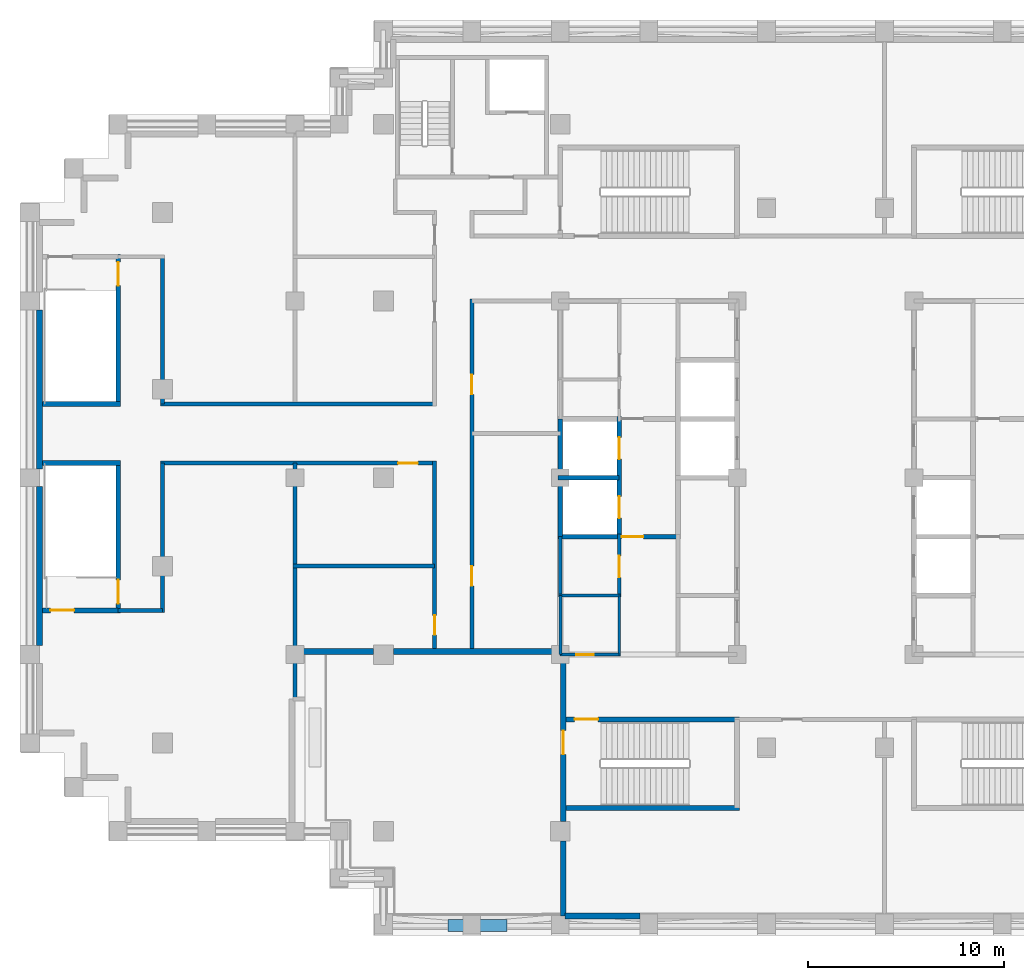
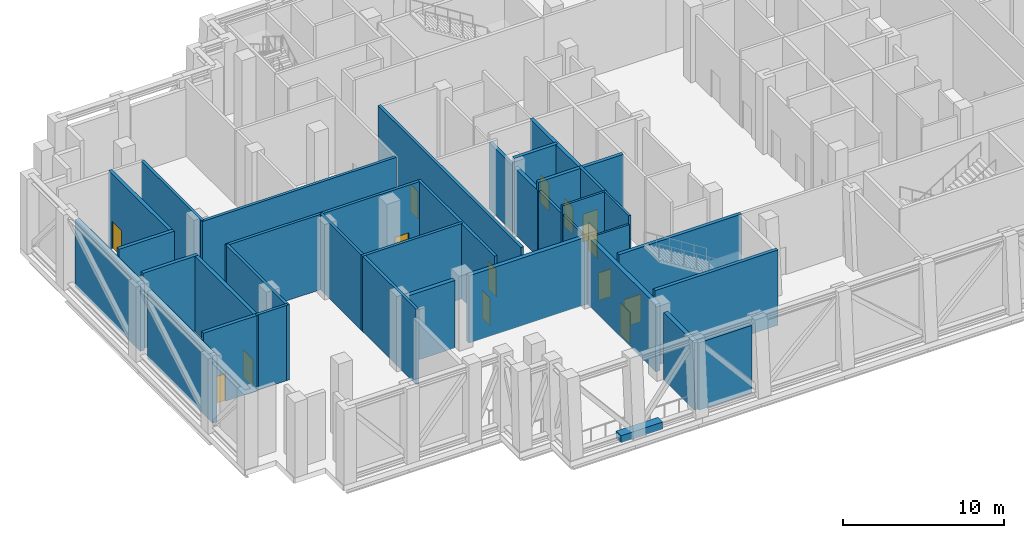
# One storey, part 4 of 10: 34 walls, 14 doors, 14 openings.
"""IFC4 building model written with IfcOpenShell, lengths in metres."""

from ifc_helpers import new_model, si_unit, direction, frame, frame_2d, origin, place, context, subcontext, project, spatial, rectangle, extrude, material, layer, layer_set, type_object, element, fill, save


model = new_model("IFC4")

# Units and contexts
model_context = context("Model", 3, precision=1e-05, world=origin(), true_north=direction((0.0, 1.0)))
body_context = subcontext(model_context, "Body", "Model", "MODEL_VIEW")
ifc_project = project(units=[si_unit("LENGTHUNIT", "METRE"), si_unit("AREAUNIT", "SQUARE_METRE"), si_unit("VOLUMEUNIT", "CUBIC_METRE"), si_unit("PLANEANGLEUNIT", "RADIAN"), si_unit("MASSUNIT", "GRAM", prefix="KILO")], contexts=[model_context])

# Site, building, storey
site_placement = place(None, origin())
site = spatial("IfcSite", under=ifc_project, at=site_placement, CompositionType="ELEMENT")
building_placement = place(site_placement, origin())
building = spatial("IfcBuilding", under=site, at=building_placement, Name="Corbelhall Arena Tower", CompositionType="ELEMENT")
storey_placement = place(building_placement, frame((0.0, 0.0, 236.0)))
storey = spatial("IfcBuildingStorey", under=building, at=storey_placement, Name="L50", CompositionType="ELEMENT", Elevation=236.0)

# Walls
ifc_material_1 = material(Name="Precast concrete C40/50 with granite facing", Category="masonry")
ifc_layer_1 = layer(ifc_material_1, 0.300048828125)
ifc_layer_set_1 = layer_set([ifc_layer_1], Name="EV-IW1 Infill panel 300")
wall_type_1 = type_object("IfcWallType", Name="EV-IW1 Infill panel 300", PredefinedType="SOLIDWALL", material=ifc_layer_set_1)
for number, where, z_axis, x_axis, name in (
    (1, (-40.0, 8.550048828125, 0.0), (0.0, 0.0, 1.0), (0.0, -1.0, 0.0), "Infill panel IW1"),
    (2, (-40.0, -0.449951171875, 0.0), (0.0, 0.0, 1.0), (0.0, -1.0, 0.0), "Infill panel IW1"),
):
    element("IfcWall", number, at=place(storey_placement, frame(where, z_axis=z_axis, x_axis=x_axis)), inside=storey, type_object=wall_type_1, Name=name, PredefinedType="SOLIDWALL", context=body_context, shape_type="SweptSolid", body=[
        extrude(rectangle(XDim=8.10009765625, YDim=0.300048828125, at=frame_2d((4.050048828125, 0.0))), origin(), (0.0, 0.0, 1.0), 5.1201171875),
    ])
for number, where, z_axis, x_axis, name in (
    (3, (-13.25, -22.300048828125, 0.0), (0.0, 0.0, 1.0), (1.0, 0.0, 0.0), "Infill panel IW1"),
    (4, (-13.35009765625, -18.5, 0.0), (0.0, 0.0, 1.0), (0.0, -1.0, 0.0), "Infill panel IW1"),
):
    element("IfcWall", number, at=place(storey_placement, frame(where, z_axis=z_axis, x_axis=x_axis)), inside=storey, type_object=wall_type_1, Name=name, PredefinedType="SOLIDWALL", context=body_context, shape_type="SweptSolid", body=[
        extrude(rectangle(XDim=3.800048828125, YDim=0.300048828125, at=frame_2d((1.89990234375, 0.0))), origin(), (0.0, 0.0, 1.0), 5.1201171875),
    ])

# Wall, opening, door
wall_1_placement = place(storey_placement, frame((-13.35009765625, -17.5, 0.0), z_axis=(0.0, 0.0, 1.0), x_axis=(0.0, 1.0, 0.0)))
wall_1 = element("IfcWall", 5, at=wall_1_placement, inside=storey, type_object=wall_type_1, Name="Infill panel IW1", PredefinedType="SOLIDWALL", context=body_context, shape_type="SweptSolid", body=[
    extrude(rectangle(XDim=8.47509765625, YDim=0.300048828125, at=frame_2d((4.237548828125, 0.0))), origin(), (0.0, 0.0, 1.0), 5.1201171875),
])
opening_1_placement = place(wall_1_placement, frame((3.425048828125, 0.0, 0.0)))
opening_1 = element("IfcOpeningElement", 6, at=opening_1_placement, cuts=wall_1, Name="Opening ED1", PredefinedType="OPENING", context=body_context, shape_type="SweptSolid", body=[
    extrude(rectangle(XDim=1.199951171875, YDim=2.39990234375, at=frame_2d((0.60009765625, 1.199951171875))), frame((0.0, 0.14990234375, 0.0), z_axis=(0.0, -1.0, 0.0), x_axis=(1.0, 0.0, 0.0)), (0.0, 0.0, 1.0), 0.300048828125),
])
ifc_material_2 = material(Name="Aluminium black anodised", Category="aluminium")
door_type_1 = type_object("IfcDoorType", Name="EV-ED1 Terrace door", OperationType="SINGLE_SWING_LEFT", PredefinedType="DOOR", material=ifc_material_2)
door_1_placement = place(opening_1_placement, origin())
door_1 = element("IfcDoor", 7, at=door_1_placement, inside=storey, type_object=door_type_1, Name="Terrace door", OperationType="SINGLE_SWING_LEFT", OverallHeight=2.39990234375, OverallWidth=1.199951171875, PredefinedType="DOOR", context=body_context, shape_type="SweptSolid", body=[
    extrude(rectangle(XDim=1.199951171875, YDim=2.39990234375, at=frame_2d((0.60009765625, 1.199951171875))), frame((0.0, 0.02490234375, 0.0), z_axis=(0.0, -1.0, 0.0), x_axis=(1.0, 0.0, 0.0)), (0.0, 0.0, 1.0), 0.050048828125),
])
fill(opening_1, door_1)

# Walls
wall_2_placement = place(storey_placement, frame((-26.949951171875, -8.85009765625, 0.0), z_axis=(0.0, 0.0, 1.0), x_axis=(1.0, 0.0, 0.0)))
element("IfcWall", 8, at=wall_2_placement, inside=storey, type_object=wall_type_1, Name="Infill panel IW1", PredefinedType="SOLIDWALL", context=body_context, shape_type="SweptSolid", body=[
    extrude(rectangle(XDim=3.949951171875, YDim=0.300048828125, at=frame_2d((1.97509765625, 0.0))), origin(), (0.0, 0.0, 1.0), 5.1201171875),
])
wall_3_placement = place(storey_placement, frame((-22.0, -8.85009765625, 0.0), z_axis=(0.0, 0.0, 1.0), x_axis=(1.0, 0.0, 0.0)))
element("IfcWall", 9, at=wall_3_placement, inside=storey, type_object=wall_type_1, Name="Infill panel IW1", PredefinedType="SOLIDWALL", context=body_context, shape_type="SweptSolid", body=[
    extrude(rectangle(XDim=8.47509765625, YDim=0.300048828125, at=frame_2d((4.237548828125, 0.0))), origin(), (0.0, 0.0, 1.0), 5.1201171875),
])
ifc_layer_2 = layer(ifc_material_1, 0.60009765625)
ifc_layer_set_2 = layer_set([ifc_layer_2], Name="EV-PL1 Planter box")
wall_type_2 = type_object("IfcWallType", Name="EV-PL1 Planter box", PredefinedType="SOLIDWALL", material=ifc_layer_set_2)
wall_4_placement = place(storey_placement, frame((-16.219970703125, -22.7900390625, 0.0), z_axis=(0.0, 0.0, 1.0), x_axis=(-1.0, 0.0, 0.0)))
element("IfcWall", 10, at=wall_4_placement, inside=storey, type_object=wall_type_2, Name="PLANTER", PredefinedType="SOLIDWALL", context=body_context, shape_type="SweptSolid", body=[
    extrude(rectangle(XDim=3.0, YDim=0.60009765625, at=frame_2d((1.5, 0.0))), origin(), (0.0, 0.0, 1.0), 0.5400390625),
])
ifc_material_3 = material(Name="Gypsum board on steel stud, acoustic", Category="steel")
ifc_layer_3 = layer(ifc_material_3, 0.199951171875)
ifc_layer_set_3 = layer_set([ifc_layer_3], Name="IN-W-DM200")
wall_type_3 = type_object("IfcWallType", Name="IN-W-DM200", PredefinedType="PARTITIONING", material=ifc_layer_set_3)
wall_5_placement = place(storey_placement, frame((-33.85009765625, 3.75, 0.0), z_axis=(0.0, 0.0, 1.0), x_axis=(1.0, 0.0, 0.0)))
element("IfcWall", 11, at=wall_5_placement, inside=storey, type_object=wall_type_3, Name="Partition 002", PredefinedType="PARTITIONING", context=body_context, shape_type="SweptSolid", body=[
    extrude(rectangle(XDim=13.9501953125, YDim=0.199951171875, at=frame_2d((6.97509765625, 0.0))), origin(), (0.0, 0.0, 1.0), 5.719970703125),
])
wall_6_placement = place(storey_placement, frame((-33.75, -6.75, 0.0), z_axis=(0.0, 0.0, 1.0), x_axis=(-1.0, 0.0, 0.0)))
element("IfcWall", 12, at=wall_6_placement, inside=storey, type_object=wall_type_3, Name="Partition 003", PredefinedType="PARTITIONING", context=body_context, shape_type="SweptSolid", body=[
    extrude(rectangle(XDim=2.25, YDim=0.199951171875, at=frame_2d((1.125, 0.0))), origin(), (0.0, 0.0, 1.0), 5.719970703125),
])
wall_7_placement = place(storey_placement, frame((-33.75, 0.75, 0.0), z_axis=(0.0, 0.0, 1.0), x_axis=(0.0, -1.0, 0.0)))
element("IfcWall", 13, at=wall_7_placement, inside=storey, type_object=wall_type_3, Name="Partition 004", PredefinedType="PARTITIONING", context=body_context, shape_type="SweptSolid", body=[
    extrude(rectangle(XDim=7.60009765625, YDim=0.199951171875, at=frame_2d((3.800048828125, 0.0))), origin(), (0.0, 0.0, 1.0), 5.719970703125),
])
wall_8_placement = place(storey_placement, frame((-33.75, 11.25, 0.0), z_axis=(0.0, 0.0, 1.0), x_axis=(0.0, -1.0, 0.0)))
element("IfcWall", 14, at=wall_8_placement, inside=storey, type_object=wall_type_3, Name="Partition 005", PredefinedType="PARTITIONING", context=body_context, shape_type="SweptSolid", body=[
    extrude(rectangle(XDim=7.5, YDim=0.199951171875, at=frame_2d((3.75, 0.0))), origin(), (0.0, 0.0, 1.0), 5.719970703125),
])
wall_9_placement = place(storey_placement, frame((-27.10009765625, -4.5, 0.0), z_axis=(0.0, 0.0, 1.0), x_axis=(1.0, 0.0, 0.0)))
element("IfcWall", 15, at=wall_9_placement, inside=storey, type_object=wall_type_3, Name="Partition 006", PredefinedType="PARTITIONING", context=body_context, shape_type="SweptSolid", body=[
    extrude(rectangle(XDim=7.2001953125, YDim=0.199951171875, at=frame_2d((3.60009765625, 0.0))), origin(), (0.0, 0.0, 1.0), 5.719970703125),
])
wall_10_placement = place(storey_placement, frame((-27.0, -11.25, 0.0), z_axis=(0.0, 0.0, 1.0), x_axis=(0.0, 1.0, 0.0)))
element("IfcWall", 16, at=wall_10_placement, inside=storey, type_object=wall_type_3, Name="Partition 008", PredefinedType="PARTITIONING", context=body_context, shape_type="SweptSolid", body=[
    extrude(rectangle(XDim=12.0, YDim=0.199951171875, at=frame_2d((6.0, 0.0))), origin(), (0.0, 0.0, 1.0), 5.719970703125),
])

# Wall, opening, door
wall_11_placement = place(storey_placement, frame((-19.89990234375, 0.75, 0.0), z_axis=(0.0, 0.0, 1.0), x_axis=(-1.0, 0.0, 0.0)))
wall_11 = element("IfcWall", 17, at=wall_11_placement, inside=storey, type_object=wall_type_3, Name="Partition 010", PredefinedType="PARTITIONING", context=body_context, shape_type="SweptSolid", body=[
    extrude(rectangle(XDim=13.9501953125, YDim=0.199951171875, at=frame_2d((6.97509765625, 0.0))), origin(), (0.0, 0.0, 1.0), 5.719970703125),
])
opening_2_placement = place(wall_11_placement, frame((0.85009765625, 0.0, 0.0)))
opening_2 = element("IfcOpeningElement", 18, at=opening_2_placement, cuts=wall_11, Name="Opening 28034", PredefinedType="OPENING", context=body_context, shape_type="SweptSolid", body=[
    extrude(rectangle(XDim=1.0, YDim=2.10009765625, at=frame_2d((0.5, 1.050048828125))), frame((0.0, 0.10009765625, 0.0), z_axis=(0.0, -1.0, 0.0), x_axis=(1.0, 0.0, 0.0)), (0.0, 0.0, 1.0), 0.199951171875),
])
ifc_material_4 = material(Name="Steel door set", Category="steel")
door_type_2 = type_object("IfcDoorType", Name="IN-D-SW100", OperationType="NOTDEFINED", PredefinedType="DOOR", material=ifc_material_4)
door_2_placement = place(opening_2_placement, origin())
door_2 = element("IfcDoor", 19, at=door_2_placement, inside=storey, type_object=door_type_2, Name="Door 034", OperationType="SINGLE_SWING_LEFT", OverallHeight=2.10009765625, OverallWidth=1.0, PredefinedType="DOOR", context=body_context, shape_type="SweptSolid", body=[
    extrude(rectangle(XDim=1.0, YDim=2.10009765625, at=frame_2d((0.5, 1.050048828125))), frame((0.0, 0.02490234375, 0.0), z_axis=(0.0, -1.0, 0.0), x_axis=(1.0, 0.0, 0.0)), (0.0, 0.0, 1.0), 0.050048828125),
])
fill(opening_2, door_2)

wall_12_placement = place(storey_placement, frame((-19.89990234375, -8.699951171875, 0.0), z_axis=(0.0, 0.0, 1.0), x_axis=(0.0, 1.0, 0.0)))
wall_12 = element("IfcWall", 20, at=wall_12_placement, inside=storey, type_object=wall_type_3, Name="Partition 013", PredefinedType="PARTITIONING", context=body_context, shape_type="SweptSolid", body=[
    extrude(rectangle(XDim=9.550048828125, YDim=0.199951171875, at=frame_2d((4.77490234375, 0.0))), origin(), (0.0, 0.0, 1.0), 5.719970703125),
])
opening_3_placement = place(wall_12_placement, frame((0.699951171875, 0.0, 0.0)))
opening_3 = element("IfcOpeningElement", 21, at=opening_3_placement, cuts=wall_12, Name="Opening 28033", PredefinedType="OPENING", context=body_context, shape_type="SweptSolid", body=[
    extrude(rectangle(XDim=1.0, YDim=2.10009765625, at=frame_2d((0.5, 1.050048828125))), frame((0.0, 0.10009765625, 0.0), z_axis=(0.0, -1.0, 0.0), x_axis=(1.0, 0.0, 0.0)), (0.0, 0.0, 1.0), 0.199951171875),
])
door_3_placement = place(opening_3_placement, origin())
door_3 = element("IfcDoor", 22, at=door_3_placement, inside=storey, type_object=door_type_2, Name="Door 033", OperationType="SINGLE_SWING_RIGHT", OverallHeight=2.10009765625, OverallWidth=1.0, PredefinedType="DOOR", context=body_context, shape_type="SweptSolid", body=[
    extrude(rectangle(XDim=1.0, YDim=2.10009765625, at=frame_2d((0.5, 1.050048828125))), frame((0.0, 0.02490234375, 0.0), z_axis=(0.0, -1.0, 0.0), x_axis=(1.0, 0.0, 0.0)), (0.0, 0.0, 1.0), 0.050048828125),
])
fill(opening_3, door_3)

# Wall, openings, doors
wall_13_placement = place(storey_placement, frame((-18.0, 9.10009765625, 0.0), z_axis=(0.0, 0.0, 1.0), x_axis=(0.0, -1.0, 0.0)))
wall_13 = element("IfcWall", 23, at=wall_13_placement, inside=storey, type_object=wall_type_3, Name="Partition 017", PredefinedType="PARTITIONING", context=body_context, shape_type="SweptSolid", body=[
    extrude(rectangle(XDim=17.800048828125, YDim=0.199951171875, at=frame_2d((8.89990234375, 0.0))), origin(), (0.0, 0.0, 1.0), 5.719970703125),
])
opening_4_placement = place(wall_13_placement, frame((13.60009765625, 0.0, 0.0)))
opening_4 = element("IfcOpeningElement", 24, at=opening_4_placement, cuts=wall_13, Name="Opening 28023", PredefinedType="OPENING", context=body_context, shape_type="SweptSolid", body=[
    extrude(rectangle(XDim=1.0, YDim=2.10009765625, at=frame_2d((0.5, 1.050048828125))), frame((0.0, 0.10009765625, 0.0), z_axis=(0.0, -1.0, 0.0), x_axis=(1.0, 0.0, 0.0)), (0.0, 0.0, 1.0), 0.199951171875),
])
opening_5_placement = place(wall_13_placement, frame((3.85009765625, 0.0, 0.0)))
opening_5 = element("IfcOpeningElement", 25, at=opening_5_placement, cuts=wall_13, Name="Opening 28024", PredefinedType="OPENING", context=body_context, shape_type="SweptSolid", body=[
    extrude(rectangle(XDim=1.0, YDim=2.10009765625, at=frame_2d((0.5, 1.050048828125))), frame((0.0, 0.10009765625, 0.0), z_axis=(0.0, -1.0, 0.0), x_axis=(1.0, 0.0, 0.0)), (0.0, 0.0, 1.0), 0.199951171875),
])
door_4_placement = place(opening_4_placement, origin())
door_4 = element("IfcDoor", 26, at=door_4_placement, inside=storey, type_object=door_type_2, Name="Door 023", OperationType="SINGLE_SWING_RIGHT", OverallHeight=2.10009765625, OverallWidth=1.0, PredefinedType="DOOR", context=body_context, shape_type="SweptSolid", body=[
    extrude(rectangle(XDim=1.0, YDim=2.10009765625, at=frame_2d((0.5, 1.050048828125))), frame((0.0, 0.02490234375, 0.0), z_axis=(0.0, -1.0, 0.0), x_axis=(1.0, 0.0, 0.0)), (0.0, 0.0, 1.0), 0.050048828125),
])
fill(opening_4, door_4)
door_5_placement = place(opening_5_placement, origin())
door_5 = element("IfcDoor", 27, at=door_5_placement, inside=storey, type_object=door_type_2, Name="Door 024", OperationType="SINGLE_SWING_LEFT", OverallHeight=2.10009765625, OverallWidth=1.0, PredefinedType="DOOR", context=body_context, shape_type="SweptSolid", body=[
    extrude(rectangle(XDim=1.0, YDim=2.10009765625, at=frame_2d((0.5, 1.050048828125))), frame((0.0, 0.02490234375, 0.0), z_axis=(0.0, -1.0, 0.0), x_axis=(1.0, 0.0, 0.0)), (0.0, 0.0, 1.0), 0.050048828125),
])
fill(opening_5, door_5)

# Wall, opening, door
ifc_material_5 = material(Name="Concrete block wall", Category="concrete")
ifc_layer_4 = layer(ifc_material_5, 0.199951171875)
ifc_layer_set_4 = layer_set([ifc_layer_4], Name="IN-W-RS200")
wall_type_4 = type_object("IfcWallType", Name="IN-W-RS200", PredefinedType="SOLIDWALL", material=ifc_layer_set_4)
wall_14_placement = place(storey_placement, frame((-10.5, -6.074951171875, 0.0), z_axis=(0.0, 0.0, 1.0), x_axis=(0.0, 1.0, 0.0)))
wall_14 = element("IfcWall", 28, at=wall_14_placement, inside=storey, type_object=wall_type_4, Name="Partition 045", PredefinedType="SOLIDWALL", context=body_context, shape_type="SweptSolid", body=[
    extrude(rectangle(XDim=3.199951171875, YDim=0.199951171875, at=frame_2d((1.60009765625, 0.0))), origin(), (0.0, 0.0, 1.0), 5.719970703125),
])
opening_6_placement = place(wall_14_placement, frame((1.0, 0.0, 0.0)))
opening_6 = element("IfcOpeningElement", 29, at=opening_6_placement, cuts=wall_14, Name="Opening 28007", PredefinedType="OPENING", context=body_context, shape_type="SweptSolid", body=[
    extrude(rectangle(XDim=1.10009765625, YDim=2.10009765625, at=frame_2d((0.550048828125, 1.050048828125))), frame((0.0, 0.10009765625, 0.0), z_axis=(0.0, -1.0, 0.0), x_axis=(1.0, 0.0, 0.0)), (0.0, 0.0, 1.0), 0.199951171875),
])
door_type_3 = type_object("IfcDoorType", Name="IN-D-FD110", OperationType="NOTDEFINED", PredefinedType="DOOR", material=ifc_material_4)
door_6_placement = place(opening_6_placement, origin())
door_6 = element("IfcDoor", 30, at=door_6_placement, inside=storey, type_object=door_type_3, Name="Door 007", OperationType="SINGLE_SWING_RIGHT", OverallHeight=2.10009765625, OverallWidth=1.10009765625, PredefinedType="DOOR", context=body_context, shape_type="SweptSolid", body=[
    extrude(rectangle(XDim=1.10009765625, YDim=2.10009765625, at=frame_2d((0.550048828125, 1.050048828125))), frame((0.0, 0.02490234375, 0.0), z_axis=(0.0, -1.0, 0.0), x_axis=(1.0, 0.0, 0.0)), (0.0, 0.0, 1.0), 0.050048828125),
])
fill(opening_6, door_6)

# Walls
ifc_layer_5 = layer(ifc_material_5, 0.199951171875)
ifc_layer_set_5 = layer_set([ifc_layer_5], Name="IN-W-RS200 under beam 678 mm")
wall_type_5 = type_object("IfcWallType", Name="IN-W-RS200 under beam 678 mm", PredefinedType="SOLIDWALL", material=ifc_layer_set_5)
wall_15_placement = place(storey_placement, frame((-13.5, -6.0, 0.0), z_axis=(0.0, 0.0, 1.0), x_axis=(0.0, 1.0, 0.0)))
element("IfcWall", 31, at=wall_15_placement, inside=storey, type_object=wall_type_5, Name="Partition 043", PredefinedType="SOLIDWALL", context=body_context, shape_type="SweptSolid", body=[
    extrude(rectangle(XDim=3.0, YDim=0.199951171875, at=frame_2d((1.5, 0.0))), origin(), (0.0, 0.0, 1.0), 5.041748046875),
])
ifc_material_6 = material(Name="Concrete C40/50", Category="concrete")
ifc_layer_6 = layer(ifc_material_6, 0.25)
ifc_layer_set_6 = layer_set([ifc_layer_6], Name="IN-W-SH250")
wall_type_6 = type_object("IfcWallType", Name="IN-W-SH250", PredefinedType="SOLIDWALL", material=ifc_layer_set_6)
wall_16_placement = place(storey_placement, frame((-13.625, 0.0, 0.0), z_axis=(0.0, 0.0, 1.0), x_axis=(1.0, 0.0, 0.0)))
element("IfcWall", 32, at=wall_16_placement, inside=storey, type_object=wall_type_6, Name="Shaft wall 066", PredefinedType="SOLIDWALL", context=body_context, shape_type="SweptSolid", body=[
    extrude(rectangle(XDim=3.125, YDim=0.25, at=frame_2d((1.5625, 0.0))), origin(), (0.0, 0.0, 1.0), 5.719970703125),
])

# Wall, opening, door
wall_17_placement = place(storey_placement, frame((-13.625, -3.0, 0.0), z_axis=(0.0, 0.0, 1.0), x_axis=(1.0, 0.0, 0.0)))
wall_17 = element("IfcWall", 33, at=wall_17_placement, inside=storey, type_object=wall_type_6, Name="Shaft wall 069", PredefinedType="SOLIDWALL", context=body_context, shape_type="SweptSolid", body=[
    extrude(rectangle(XDim=6.125, YDim=0.25, at=frame_2d((3.0625, 0.0))), origin(), (0.0, 0.0, 1.0), 5.719970703125),
])
opening_7_placement = place(wall_17_placement, frame((3.25, 0.0, 0.0)))
opening_7 = element("IfcOpeningElement", 34, at=opening_7_placement, cuts=wall_17, Name="Opening 28004", PredefinedType="OPENING", context=body_context, shape_type="SweptSolid", body=[
    extrude(rectangle(XDim=1.10009765625, YDim=2.10009765625, at=frame_2d((0.550048828125, 1.050048828125))), frame((0.0, 0.125, 0.0), z_axis=(0.0, -1.0, 0.0), x_axis=(1.0, 0.0, 0.0)), (0.0, 0.0, 1.0), 0.25),
])
door_7_placement = place(opening_7_placement, origin())
door_7 = element("IfcDoor", 35, at=door_7_placement, inside=storey, type_object=door_type_3, Name="Door 004", OperationType="SINGLE_SWING_LEFT", OverallHeight=2.10009765625, OverallWidth=1.10009765625, PredefinedType="DOOR", context=body_context, shape_type="SweptSolid", body=[
    extrude(rectangle(XDim=1.10009765625, YDim=2.10009765625, at=frame_2d((0.550048828125, 1.050048828125))), frame((0.0, 0.02490234375, 0.0), z_axis=(0.0, -1.0, 0.0), x_axis=(1.0, 0.0, 0.0)), (0.0, 0.0, 1.0), 0.050048828125),
])
fill(opening_7, door_7)

# Wall, openings, doors
wall_18_placement = place(storey_placement, frame((-10.5, -3.125, 0.0), z_axis=(0.0, 0.0, 1.0), x_axis=(0.0, 1.0, 0.0)))
wall_18 = element("IfcWall", 36, at=wall_18_placement, inside=storey, type_object=wall_type_6, Name="Shaft wall 070", PredefinedType="SOLIDWALL", context=body_context, shape_type="SweptSolid", body=[
    extrude(rectangle(XDim=6.25, YDim=0.25, at=frame_2d((3.125, 0.0))), origin(), (0.0, 0.0, 1.0), 5.719970703125),
])
opening_8_placement = place(wall_18_placement, frame((1.074951171875, 0.0, 0.0)))
opening_8 = element("IfcOpeningElement", 37, at=opening_8_placement, cuts=wall_18, Name="Opening LD", PredefinedType="OPENING", context=body_context, shape_type="SweptSolid", body=[
    extrude(rectangle(XDim=1.10009765625, YDim=2.10009765625, at=frame_2d((0.550048828125, 1.050048828125))), frame((0.0, 0.125, 0.0), z_axis=(0.0, -1.0, 0.0), x_axis=(1.0, 0.0, 0.0)), (0.0, 0.0, 1.0), 0.25),
])
opening_9_placement = place(wall_18_placement, frame((4.074951171875, 0.0, 0.0)))
opening_9 = element("IfcOpeningElement", 38, at=opening_9_placement, cuts=wall_18, Name="Opening LD", PredefinedType="OPENING", context=body_context, shape_type="SweptSolid", body=[
    extrude(rectangle(XDim=1.10009765625, YDim=2.10009765625, at=frame_2d((0.550048828125, 1.050048828125))), frame((0.0, 0.125, 0.0), z_axis=(0.0, -1.0, 0.0), x_axis=(1.0, 0.0, 0.0)), (0.0, 0.0, 1.0), 0.25),
])
door_type_4 = type_object("IfcDoorType", Name="IN-D-LD110", OperationType="NOTDEFINED", PredefinedType="DOOR", material=ifc_material_4)
door_8_placement = place(opening_8_placement, origin())
door_8 = element("IfcDoor", 39, at=door_8_placement, inside=storey, type_object=door_type_4, Name="Landing door W3", OperationType="SLIDING_TO_LEFT", OverallHeight=2.10009765625, OverallWidth=1.10009765625, PredefinedType="DOOR", context=body_context, shape_type="SweptSolid", body=[
    extrude(rectangle(XDim=1.10009765625, YDim=2.10009765625, at=frame_2d((0.550048828125, 1.050048828125))), frame((0.0, 0.02490234375, 0.0), z_axis=(0.0, -1.0, 0.0), x_axis=(1.0, 0.0, 0.0)), (0.0, 0.0, 1.0), 0.050048828125),
])
fill(opening_8, door_8)
door_9_placement = place(opening_9_placement, origin())
door_9 = element("IfcDoor", 40, at=door_9_placement, inside=storey, type_object=door_type_4, Name="Landing door W4", OperationType="SLIDING_TO_LEFT", OverallHeight=2.10009765625, OverallWidth=1.10009765625, PredefinedType="DOOR", context=body_context, shape_type="SweptSolid", body=[
    extrude(rectangle(XDim=1.10009765625, YDim=2.10009765625, at=frame_2d((0.550048828125, 1.050048828125))), frame((0.0, 0.02490234375, 0.0), z_axis=(0.0, -1.0, 0.0), x_axis=(1.0, 0.0, 0.0)), (0.0, 0.0, 1.0), 0.050048828125),
])
fill(opening_9, door_9)

# Walls
ifc_layer_7 = layer(ifc_material_6, 0.25)
ifc_layer_set_7 = layer_set([ifc_layer_7], Name="IN-W-SH250 under beam 678 mm")
wall_type_7 = type_object("IfcWallType", Name="IN-W-SH250 under beam 678 mm", PredefinedType="SOLIDWALL", material=ifc_layer_set_7)
wall_19_placement = place(storey_placement, frame((-13.5, -3.0, 0.0), z_axis=(0.0, 0.0, 1.0), x_axis=(0.0, 1.0, 0.0)))
element("IfcWall", 41, at=wall_19_placement, inside=storey, type_object=wall_type_7, Name="Shaft wall 068", PredefinedType="SOLIDWALL", context=body_context, shape_type="SweptSolid", body=[
    extrude(rectangle(XDim=6.0, YDim=0.25, at=frame_2d((3.0, 0.0))), origin(), (0.0, 0.0, 1.0), 5.041748046875),
])
ifc_layer_8 = layer(ifc_material_6, 0.25)
ifc_layer_set_8 = layer_set([ifc_layer_8], Name="IN-W-ST250")
wall_type_8 = type_object("IfcWallType", Name="IN-W-ST250", PredefinedType="SOLIDWALL", material=ifc_layer_set_8)
wall_20_placement = place(storey_placement, frame((-39.85009765625, 3.75, 0.0), z_axis=(0.0, 0.0, 1.0), x_axis=(1.0, 0.0, 0.0)))
element("IfcWall", 42, at=wall_20_placement, inside=storey, type_object=wall_type_8, Name="Shaft wall 085", PredefinedType="SOLIDWALL", context=body_context, shape_type="SweptSolid", body=[
    extrude(rectangle(XDim=3.97509765625, YDim=0.25, at=frame_2d((1.987548828125, 0.0))), origin(), (0.0, 0.0, 1.0), 5.719970703125),
])

# Wall, opening, door
wall_21_placement = place(storey_placement, frame((-36.0, -6.75, 0.0), z_axis=(0.0, 0.0, 1.0), x_axis=(-1.0, 0.0, 0.0)))
wall_21 = element("IfcWall", 43, at=wall_21_placement, inside=storey, type_object=wall_type_8, Name="Shaft wall 087", PredefinedType="SOLIDWALL", context=body_context, shape_type="SweptSolid", body=[
    extrude(rectangle(XDim=3.85009765625, YDim=0.25, at=frame_2d((1.925048828125, 0.0))), origin(), (0.0, 0.0, 1.0), 5.719970703125),
])
opening_10_placement = place(wall_21_placement, frame((2.25, 0.0, 0.0)))
opening_10 = element("IfcOpeningElement", 44, at=opening_10_placement, cuts=wall_21, Name="Opening 28043", PredefinedType="OPENING", context=body_context, shape_type="SweptSolid", body=[
    extrude(rectangle(XDim=1.199951171875, YDim=2.10009765625, at=frame_2d((0.60009765625, 1.050048828125))), frame((0.0, 0.125, 0.0), z_axis=(0.0, -1.0, 0.0), x_axis=(1.0, 0.0, 0.0)), (0.0, 0.0, 1.0), 0.25),
])
door_type_5 = type_object("IfcDoorType", Name="IN-D-ST120", OperationType="NOTDEFINED", PredefinedType="DOOR", material=ifc_material_4)
door_10_placement = place(opening_10_placement, origin())
door_10 = element("IfcDoor", 45, at=door_10_placement, inside=storey, type_object=door_type_5, Name="Door 043", OperationType="SINGLE_SWING_RIGHT", OverallHeight=2.10009765625, OverallWidth=1.199951171875, PredefinedType="DOOR", context=body_context, shape_type="SweptSolid", body=[
    extrude(rectangle(XDim=1.199951171875, YDim=2.10009765625, at=frame_2d((0.60009765625, 1.050048828125))), frame((0.0, 0.02490234375, 0.0), z_axis=(0.0, -1.0, 0.0), x_axis=(1.0, 0.0, 0.0)), (0.0, 0.0, 1.0), 0.050048828125),
])
fill(opening_10, door_10)

wall_22_placement = place(storey_placement, frame((-36.0, 0.75, 0.0), z_axis=(0.0, 0.0, 1.0), x_axis=(0.0, -1.0, 0.0)))
wall_22 = element("IfcWall", 46, at=wall_22_placement, inside=storey, type_object=wall_type_8, Name="Shaft wall 088", PredefinedType="SOLIDWALL", context=body_context, shape_type="SweptSolid", body=[
    extrude(rectangle(XDim=7.625, YDim=0.25, at=frame_2d((3.8125, 0.0))), origin(), (0.0, 0.0, 1.0), 5.719970703125),
])
opening_11_placement = place(wall_22_placement, frame((5.949951171875, 0.0, 0.0)))
opening_11 = element("IfcOpeningElement", 47, at=opening_11_placement, cuts=wall_22, Name="Opening 28022", PredefinedType="OPENING", context=body_context, shape_type="SweptSolid", body=[
    extrude(rectangle(XDim=1.199951171875, YDim=2.10009765625, at=frame_2d((0.60009765625, 1.050048828125))), frame((0.0, 0.125, 0.0), z_axis=(0.0, -1.0, 0.0), x_axis=(1.0, 0.0, 0.0)), (0.0, 0.0, 1.0), 0.25),
])
door_11_placement = place(opening_11_placement, origin())
door_11 = element("IfcDoor", 48, at=door_11_placement, inside=storey, type_object=door_type_5, Name="Door 022", OperationType="SINGLE_SWING_LEFT", OverallHeight=2.10009765625, OverallWidth=1.199951171875, PredefinedType="DOOR", context=body_context, shape_type="SweptSolid", body=[
    extrude(rectangle(XDim=1.199951171875, YDim=2.10009765625, at=frame_2d((0.60009765625, 1.050048828125))), frame((0.0, 0.02490234375, 0.0), z_axis=(0.0, -1.0, 0.0), x_axis=(1.0, 0.0, 0.0)), (0.0, 0.0, 1.0), 0.050048828125),
])
fill(opening_11, door_11)

wall_23_placement = place(storey_placement, frame((-36.0, 11.375, 0.0), z_axis=(0.0, 0.0, 1.0), x_axis=(0.0, -1.0, 0.0)))
wall_23 = element("IfcWall", 49, at=wall_23_placement, inside=storey, type_object=wall_type_8, Name="Shaft wall 089", PredefinedType="SOLIDWALL", context=body_context, shape_type="SweptSolid", body=[
    extrude(rectangle(XDim=7.625, YDim=0.25, at=frame_2d((3.8125, 0.0))), origin(), (0.0, 0.0, 1.0), 5.719970703125),
])
opening_12_placement = place(wall_23_placement, frame((0.39990234375, 0.0, 0.0)))
opening_12 = element("IfcOpeningElement", 50, at=opening_12_placement, cuts=wall_23, Name="Opening 28021", PredefinedType="OPENING", context=body_context, shape_type="SweptSolid", body=[
    extrude(rectangle(XDim=1.199951171875, YDim=2.10009765625, at=frame_2d((0.60009765625, 1.050048828125))), frame((0.0, 0.125, 0.0), z_axis=(0.0, -1.0, 0.0), x_axis=(1.0, 0.0, 0.0)), (0.0, 0.0, 1.0), 0.25),
])
door_12_placement = place(opening_12_placement, origin())
door_12 = element("IfcDoor", 51, at=door_12_placement, inside=storey, type_object=door_type_5, Name="Door 021", OperationType="SINGLE_SWING_RIGHT", OverallHeight=2.10009765625, OverallWidth=1.199951171875, PredefinedType="DOOR", context=body_context, shape_type="SweptSolid", body=[
    extrude(rectangle(XDim=1.199951171875, YDim=2.10009765625, at=frame_2d((0.60009765625, 1.050048828125))), frame((0.0, 0.02490234375, 0.0), z_axis=(0.0, -1.0, 0.0), x_axis=(1.0, 0.0, 0.0)), (0.0, 0.0, 1.0), 0.050048828125),
])
fill(opening_12, door_12)

# Walls
wall_24_placement = place(storey_placement, frame((-35.875, 0.75, 0.0), z_axis=(0.0, 0.0, 1.0), x_axis=(-1.0, 0.0, 0.0)))
element("IfcWall", 52, at=wall_24_placement, inside=storey, type_object=wall_type_8, Name="Shaft wall 090", PredefinedType="SOLIDWALL", context=body_context, shape_type="SweptSolid", body=[
    extrude(rectangle(XDim=3.97509765625, YDim=0.25, at=frame_2d((1.987548828125, 0.0))), origin(), (0.0, 0.0, 1.0), 5.719970703125),
])
wall_25_placement = place(storey_placement, frame((-4.375, -16.800048828125, 0.0), z_axis=(0.0, 0.0, 1.0), x_axis=(-1.0, 0.0, 0.0)))
element("IfcWall", 53, at=wall_25_placement, inside=storey, type_object=wall_type_8, Name="Shaft wall 096", PredefinedType="SOLIDWALL", context=body_context, shape_type="SweptSolid", body=[
    extrude(rectangle(XDim=8.824951171875, YDim=0.25, at=frame_2d((4.41259765625, 0.0))), origin(), (0.0, 0.0, 1.0), 5.719970703125),
])

# Wall, opening, door
wall_26_placement = place(storey_placement, frame((-4.375, -12.300048828125, 0.0), z_axis=(0.0, 0.0, 1.0), x_axis=(-1.0, 0.0, 0.0)))
wall_26 = element("IfcWall", 54, at=wall_26_placement, inside=storey, type_object=wall_type_8, Name="Shaft wall 097", PredefinedType="SOLIDWALL", context=body_context, shape_type="SweptSolid", body=[
    extrude(rectangle(XDim=8.824951171875, YDim=0.25, at=frame_2d((4.41259765625, 0.0))), origin(), (0.0, 0.0, 1.0), 5.719970703125),
])
opening_13_placement = place(wall_26_placement, frame((7.199951171875, 0.0, 0.0)))
opening_13 = element("IfcOpeningElement", 55, at=opening_13_placement, cuts=wall_26, Name="Opening 28018", PredefinedType="OPENING", context=body_context, shape_type="SweptSolid", body=[
    extrude(rectangle(XDim=1.199951171875, YDim=2.10009765625, at=frame_2d((0.60009765625, 1.050048828125))), frame((0.0, 0.125, 0.0), z_axis=(0.0, -1.0, 0.0), x_axis=(1.0, 0.0, 0.0)), (0.0, 0.0, 1.0), 0.25),
])
door_13_placement = place(opening_13_placement, origin())
door_13 = element("IfcDoor", 56, at=door_13_placement, inside=storey, type_object=door_type_5, Name="Door 018", OperationType="SINGLE_SWING_LEFT", OverallHeight=2.10009765625, OverallWidth=1.199951171875, PredefinedType="DOOR", context=body_context, shape_type="SweptSolid", body=[
    extrude(rectangle(XDim=1.199951171875, YDim=2.10009765625, at=frame_2d((0.60009765625, 1.050048828125))), frame((0.0, 0.02490234375, 0.0), z_axis=(0.0, -1.0, 0.0), x_axis=(1.0, 0.0, 0.0)), (0.0, 0.0, 1.0), 0.050048828125),
])
fill(opening_13, door_13)

# Walls
ifc_material_7 = material(Name="Gypsum board on steel stud, moisture resistant", Category="steel")
ifc_layer_9 = layer(ifc_material_7, 0.14990234375)
ifc_layer_set_9 = layer_set([ifc_layer_9], Name="IN-W-WC150")
wall_type_9 = type_object("IfcWallType", Name="IN-W-WC150", PredefinedType="PARTITIONING", material=ifc_layer_set_9)
wall_27_placement = place(storey_placement, frame((-13.60009765625, -6.0, 0.0), z_axis=(0.0, 0.0, 1.0), x_axis=(1.0, 0.0, 0.0)))
element("IfcWall", 57, at=wall_27_placement, inside=storey, type_object=wall_type_9, Name="Partition 106", PredefinedType="PARTITIONING", context=body_context, shape_type="SweptSolid", body=[
    extrude(rectangle(XDim=3.10009765625, YDim=0.14990234375, at=frame_2d((1.550048828125, 0.0))), origin(), (0.0, 0.0, 1.0), 5.719970703125),
])
wall_28_placement = place(storey_placement, frame((-10.5, -9.074951171875, 0.0), z_axis=(0.0, 0.0, 1.0), x_axis=(0.0, 1.0, 0.0)))
element("IfcWall", 58, at=wall_28_placement, inside=storey, type_object=wall_type_9, Name="Partition 110", PredefinedType="PARTITIONING", context=body_context, shape_type="SweptSolid", body=[
    extrude(rectangle(XDim=3.14990234375, YDim=0.14990234375, at=frame_2d((1.574951171875, 0.0))), origin(), (0.0, 0.0, 1.0), 5.719970703125),
])
ifc_layer_10 = layer(ifc_material_7, 0.14990234375)
ifc_layer_set_10 = layer_set([ifc_layer_10], Name="IN-W-WC150 under beam 678 mm")
wall_type_10 = type_object("IfcWallType", Name="IN-W-WC150 under beam 678 mm", PredefinedType="PARTITIONING", material=ifc_layer_set_10)
wall_29_placement = place(storey_placement, frame((-13.5, -9.0, 0.0), z_axis=(0.0, 0.0, 1.0), x_axis=(0.0, 1.0, 0.0)))
element("IfcWall", 59, at=wall_29_placement, inside=storey, type_object=wall_type_10, Name="Partition 108", PredefinedType="PARTITIONING", context=body_context, shape_type="SweptSolid", body=[
    extrude(rectangle(XDim=3.0, YDim=0.14990234375, at=frame_2d((1.5, 0.0))), origin(), (0.0, 0.0, 1.0), 5.041748046875),
])

# Wall, opening, door
wall_30_placement = place(storey_placement, frame((-10.5, -9.0, 0.0), z_axis=(0.0, 0.0, 1.0), x_axis=(-1.0, 0.0, 0.0)))
wall_30 = element("IfcWall", 60, at=wall_30_placement, inside=storey, type_object=wall_type_10, Name="Partition 111", PredefinedType="PARTITIONING", context=body_context, shape_type="SweptSolid", body=[
    extrude(rectangle(XDim=3.02490234375, YDim=0.14990234375, at=frame_2d((1.512451171875, 0.0))), origin(), (0.0, 0.0, 1.0), 5.041748046875),
])
opening_14_placement = place(wall_30_placement, frame((1.300048828125, 0.0, 0.0)))
opening_14 = element("IfcOpeningElement", 61, at=opening_14_placement, cuts=wall_30, Name="Opening 28006", PredefinedType="OPENING", context=body_context, shape_type="SweptSolid", body=[
    extrude(rectangle(XDim=0.89990234375, YDim=2.10009765625, at=frame_2d((0.449951171875, 1.050048828125))), frame((0.0, 0.074951171875, 0.0), z_axis=(0.0, -1.0, 0.0), x_axis=(1.0, 0.0, 0.0)), (0.0, 0.0, 1.0), 0.14990234375),
])
ifc_material_8 = material(Name="Timber door set", Category="wood")
door_type_6 = type_object("IfcDoorType", Name="IN-D-SW90", OperationType="NOTDEFINED", PredefinedType="DOOR", material=ifc_material_8)
door_14_placement = place(opening_14_placement, origin())
door_14 = element("IfcDoor", 62, at=door_14_placement, inside=storey, type_object=door_type_6, Name="Door 006", OperationType="SINGLE_SWING_LEFT", OverallHeight=2.10009765625, OverallWidth=0.89990234375, PredefinedType="DOOR", context=body_context, shape_type="SweptSolid", body=[
    extrude(rectangle(XDim=0.89990234375, YDim=2.10009765625, at=frame_2d((0.449951171875, 1.050048828125))), frame((0.0, 0.02490234375, 0.0), z_axis=(0.0, -1.0, 0.0), x_axis=(1.0, 0.0, 0.0)), (0.0, 0.0, 1.0), 0.050048828125),
])
fill(opening_14, door_14)

save(model, "model.ifc")
